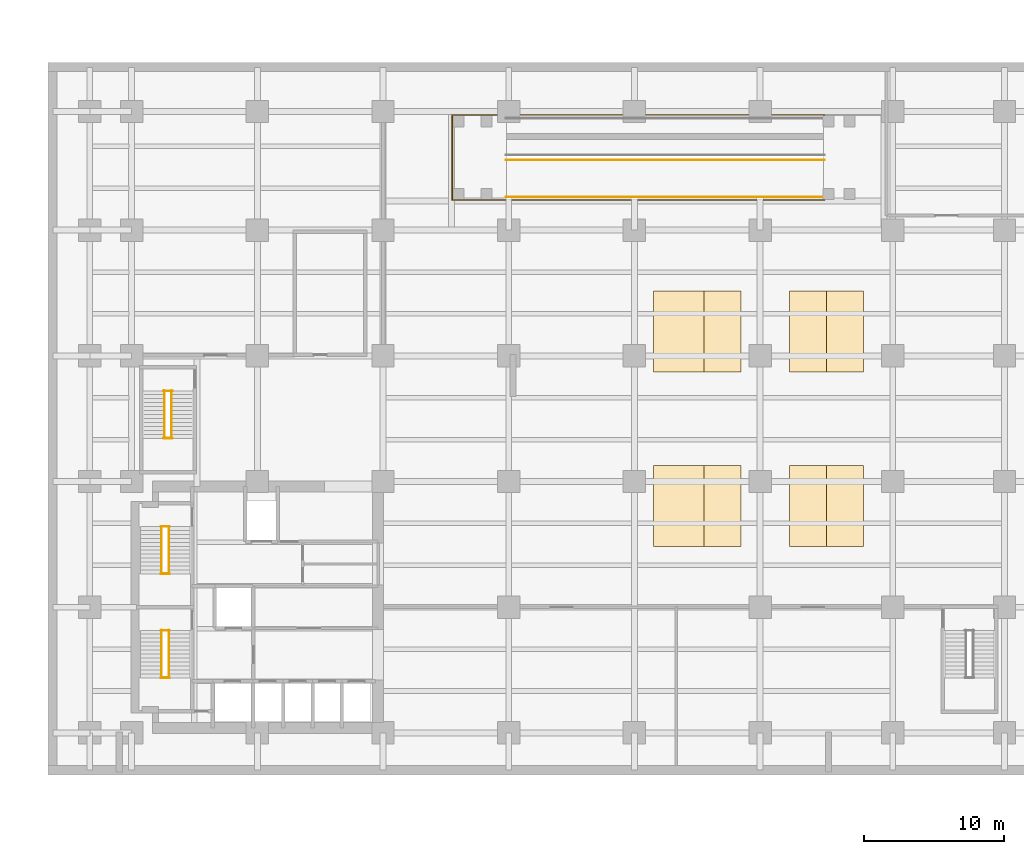
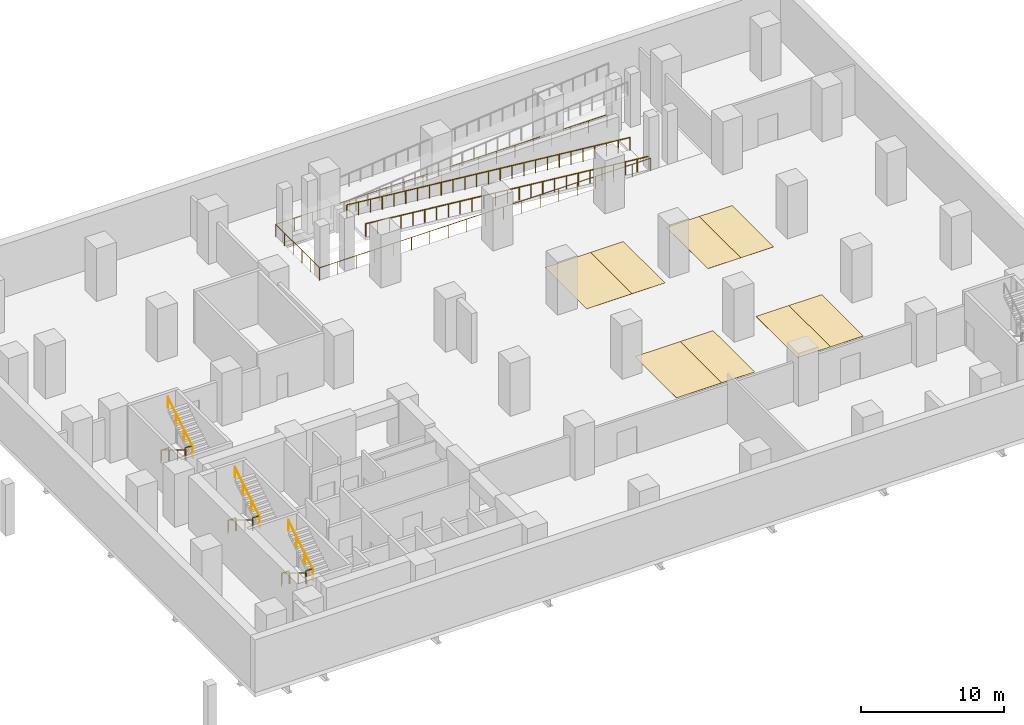
# One storey, part 9 of 10: 15 railings, 8 coverings.
"""IFC4 building model written with IfcOpenShell, lengths in metres."""

from ifc_helpers import new_model, si_unit, direction, frame, origin, origin_2d, place, context, subcontext, project, spatial, polyline, circle, outline, extrude, material, layer, layer_set, type_object, element, save


model = new_model("IFC4")

# Units and contexts
model_context = context("Model", 3, precision=1e-05, world=origin(), true_north=direction((0.0, 1.0)))
body_context = subcontext(model_context, "Body", "Model", "MODEL_VIEW")
ifc_project = project(units=[si_unit("LENGTHUNIT", "METRE"), si_unit("AREAUNIT", "SQUARE_METRE"), si_unit("VOLUMEUNIT", "CUBIC_METRE"), si_unit("PLANEANGLEUNIT", "RADIAN"), si_unit("MASSUNIT", "GRAM", prefix="KILO")], contexts=[model_context])

# Site, building, storey
site_placement = place(None, origin())
site = spatial("IfcSite", under=ifc_project, at=site_placement, CompositionType="ELEMENT")
building_placement = place(site_placement, origin())
building = spatial("IfcBuilding", under=site, at=building_placement, Name="Mawjdan Bourse Tower", CompositionType="ELEMENT")
storey_placement = place(building_placement, frame((0.0, 0.0, -4.5)))
storey = spatial("IfcBuildingStorey", under=building, at=storey_placement, Name="B01", CompositionType="ELEMENT", Elevation=-4.5)

# Coverings
ifc_material_1 = material(Name="Thermoplastic Road Marking Paint")
ifc_layer = layer(ifc_material_1, 0.010009765625)
ifc_layer_set = layer_set([ifc_layer], Name="Thermoplastic Road Marking Paint")
covering_type = type_object("IfcCoveringType", Name="COV-PRK-BAY", PredefinedType="FLOORING", material=ifc_layer_set)
covering_1_placement = place(storey_placement, origin())
element("IfcCovering", 1, at=covering_1_placement, inside=storey, type_object=covering_type, Name="B01 Accessible Parking Bay Marking A1", PredefinedType="FLOORING", context=body_context, shape_type="SweptSolid", body=[
    extrude(outline(polyline([(43.35009765625, 16.35009765625), (47.0, 16.35009765625), (47.0, 22.14990234375), (43.35009765625, 22.14990234375), (43.35009765625, 16.35009765625)])), origin(), (0.0, 0.0, 1.0), 0.010009765625),
])
covering_2_placement = place(storey_placement, origin())
element("IfcCovering", 2, at=covering_2_placement, inside=storey, type_object=covering_type, Name="B01 Parking Bay Marking 01", PredefinedType="FLOORING", context=body_context, shape_type="SweptSolid", body=[
    extrude(outline(polyline([(47.0, 16.35009765625), (49.64990234375, 16.35009765625), (49.64990234375, 22.14990234375), (47.0, 22.14990234375), (47.0, 16.35009765625)])), origin(), (0.0, 0.0, 1.0), 0.010009765625),
])
covering_3_placement = place(storey_placement, origin())
element("IfcCovering", 3, at=covering_3_placement, inside=storey, type_object=covering_type, Name="B01 Parking Bay Marking 02", PredefinedType="FLOORING", context=body_context, shape_type="SweptSolid", body=[
    extrude(outline(polyline([(53.10009765625, 16.35009765625), (55.75, 16.35009765625), (55.75, 22.14990234375), (53.10009765625, 22.14990234375), (53.10009765625, 16.35009765625)])), origin(), (0.0, 0.0, 1.0), 0.010009765625),
])
covering_4_placement = place(storey_placement, origin())
element("IfcCovering", 4, at=covering_4_placement, inside=storey, type_object=covering_type, Name="B01 Parking Bay Marking 03", PredefinedType="FLOORING", context=body_context, shape_type="SweptSolid", body=[
    extrude(outline(polyline([(55.75, 16.35009765625), (58.39990234375, 16.35009765625), (58.39990234375, 22.14990234375), (55.75, 22.14990234375), (55.75, 16.35009765625)])), origin(), (0.0, 0.0, 1.0), 0.010009765625),
])
covering_5_placement = place(storey_placement, origin())
element("IfcCovering", 5, at=covering_5_placement, inside=storey, type_object=covering_type, Name="B01 Accessible Parking Bay Marking A2", PredefinedType="FLOORING", context=body_context, shape_type="SweptSolid", body=[
    extrude(outline(polyline([(43.35009765625, 28.85009765625), (47.0, 28.85009765625), (47.0, 34.64990234375), (43.35009765625, 34.64990234375), (43.35009765625, 28.85009765625)])), origin(), (0.0, 0.0, 1.0), 0.010009765625),
])
covering_6_placement = place(storey_placement, origin())
element("IfcCovering", 6, at=covering_6_placement, inside=storey, type_object=covering_type, Name="B01 Parking Bay Marking 04", PredefinedType="FLOORING", context=body_context, shape_type="SweptSolid", body=[
    extrude(outline(polyline([(47.0, 28.85009765625), (49.64990234375, 28.85009765625), (49.64990234375, 34.64990234375), (47.0, 34.64990234375), (47.0, 28.85009765625)])), origin(), (0.0, 0.0, 1.0), 0.010009765625),
])
covering_7_placement = place(storey_placement, origin())
element("IfcCovering", 7, at=covering_7_placement, inside=storey, type_object=covering_type, Name="B01 Parking Bay Marking 05", PredefinedType="FLOORING", context=body_context, shape_type="SweptSolid", body=[
    extrude(outline(polyline([(53.10009765625, 28.85009765625), (55.75, 28.85009765625), (55.75, 34.64990234375), (53.10009765625, 34.64990234375), (53.10009765625, 28.85009765625)])), origin(), (0.0, 0.0, 1.0), 0.010009765625),
])
covering_8_placement = place(storey_placement, origin())
element("IfcCovering", 8, at=covering_8_placement, inside=storey, type_object=covering_type, Name="B01 Parking Bay Marking 06", PredefinedType="FLOORING", context=body_context, shape_type="SweptSolid", body=[
    extrude(outline(polyline([(55.75, 28.85009765625), (58.39990234375, 28.85009765625), (58.39990234375, 34.64990234375), (55.75, 34.64990234375), (55.75, 28.85009765625)])), origin(), (0.0, 0.0, 1.0), 0.010009765625),
])

# Railings
ifc_material_2 = material(Name="Structural Steel S355", Category="steel")
railing_type_1 = type_object("IfcRailingType", Name="RLG-GRD-1100", PredefinedType="GUARDRAIL", material=ifc_material_2)
for number, where, name in (
    (9, (8.090087890625, 6.949951171875, 2.25), "B01 ST1 Landing Guardrail GL-MID"),
    (10, (8.090087890625, 10.330078125, 0.0), "B01 ST1 Landing Guardrail GL-BOT"),
    (11, (8.090087890625, 14.389892578125, 2.25), "B01 ST2 Landing Guardrail GL-MID"),
    (12, (8.090087890625, 17.77001953125, 0.0), "B01 ST2 Landing Guardrail GL-BOT"),
    (13, (8.2900390625, 24.10009765625, 2.25), "B01 ST3 Landing Guardrail GL-MID"),
    (14, (8.2900390625, 27.47998046875, 0.0), "B01 ST3 Landing Guardrail GL-BOT"),
):
    element("IfcRailing", number, at=place(storey_placement, frame(where)), inside=storey, type_object=railing_type_1, Name=name, PredefinedType="GUARDRAIL", context=body_context, shape_type="SweptSolid", body=[
        extrude(circle(Radius=0.02490234375, at=origin_2d()), frame((0.0, 0.0, 1.0751953125), z_axis=(1.0, 0.0, 0.0), x_axis=(0.0, 1.0, 0.0)), (0.0, 0.0, 1.0), 0.619873046875),
        extrude(circle(Radius=0.02099609375, at=origin_2d()), origin(), (0.0, 0.0, 1.0), 1.050048828125),
        extrude(circle(Radius=0.02099609375, at=origin_2d()), frame((0.619873046875, 0.0, 0.0)), (0.0, 0.0, 1.0), 1.050048828125),
    ])
railing_1_placement = place(storey_placement, frame((55.60009765625, 41.14990234375, 0.0)))
element("IfcRailing", 15, at=railing_1_placement, inside=storey, type_object=railing_type_1, Name="B01 Ramp Void Perimeter Guardrail", PredefinedType="GUARDRAIL", context=body_context, shape_type="SweptSolid", body=[
    extrude(circle(Radius=0.02490234375, at=origin_2d()), frame((0.0, 0.0, 1.0751953125), z_axis=(-1.0, 0.0, 0.0), x_axis=(0.0, -1.0, 0.0)), (0.0, 0.0, 1.0), 26.650146484375),
    extrude(circle(Radius=0.02490234375, at=origin_2d()), frame((-26.650146484375, 0.0, 1.0751953125), z_axis=(0.0, 1.0, 0.0), x_axis=(-1.0, 0.0, 0.0)), (0.0, 0.0, 1.0), 6.10009765625),
    extrude(circle(Radius=0.02490234375, at=origin_2d()), frame((-26.650146484375, 6.10009765625, 1.0751953125), z_axis=(1.0, 0.0, 0.0), x_axis=(0.0, 1.0, 0.0)), (0.0, 0.0, 1.0), 26.650146484375),
    extrude(circle(Radius=0.02197265625, at=origin_2d()), origin(), (0.0, 0.0, 1.0), 1.050048828125),
    extrude(circle(Radius=0.02197265625, at=origin_2d()), frame((-1.48046875, 0.0, 0.0)), (0.0, 0.0, 1.0), 1.050048828125),
    extrude(circle(Radius=0.02197265625, at=origin_2d()), frame((-2.961181640625, 0.0, 0.0)), (0.0, 0.0, 1.0), 1.050048828125),
    extrude(circle(Radius=0.02197265625, at=origin_2d()), frame((-4.441650390625, 0.0, 0.0)), (0.0, 0.0, 1.0), 1.050048828125),
    extrude(circle(Radius=0.02197265625, at=origin_2d()), frame((-5.92236328125, 0.0, 0.0)), (0.0, 0.0, 1.0), 1.050048828125),
    extrude(circle(Radius=0.02197265625, at=origin_2d()), frame((-7.40283203125, 0.0, 0.0)), (0.0, 0.0, 1.0), 1.050048828125),
    extrude(circle(Radius=0.02197265625, at=origin_2d()), frame((-8.88330078125, 0.0, 0.0)), (0.0, 0.0, 1.0), 1.050048828125),
    extrude(circle(Radius=0.02197265625, at=origin_2d()), frame((-10.364013671875, 0.0, 0.0)), (0.0, 0.0, 1.0), 1.050048828125),
    extrude(circle(Radius=0.02197265625, at=origin_2d()), frame((-11.844482421875, 0.0, 0.0)), (0.0, 0.0, 1.0), 1.050048828125),
    extrude(circle(Radius=0.02197265625, at=origin_2d()), frame((-13.3251953125, 0.0, 0.0)), (0.0, 0.0, 1.0), 1.050048828125),
    extrude(circle(Radius=0.02197265625, at=origin_2d()), frame((-14.8056640625, 0.0, 0.0)), (0.0, 0.0, 1.0), 1.050048828125),
    extrude(circle(Radius=0.02197265625, at=origin_2d()), frame((-16.2861328125, 0.0, 0.0)), (0.0, 0.0, 1.0), 1.050048828125),
    extrude(circle(Radius=0.02197265625, at=origin_2d()), frame((-17.766845703125, 0.0, 0.0)), (0.0, 0.0, 1.0), 1.050048828125),
    extrude(circle(Radius=0.02197265625, at=origin_2d()), frame((-19.247314453125, 0.0, 0.0)), (0.0, 0.0, 1.0), 1.050048828125),
    extrude(circle(Radius=0.02197265625, at=origin_2d()), frame((-20.727783203125, 0.0, 0.0)), (0.0, 0.0, 1.0), 1.050048828125),
    extrude(circle(Radius=0.02197265625, at=origin_2d()), frame((-22.20849609375, 0.0, 0.0)), (0.0, 0.0, 1.0), 1.050048828125),
    extrude(circle(Radius=0.02197265625, at=origin_2d()), frame((-23.68896484375, 0.0, 0.0)), (0.0, 0.0, 1.0), 1.050048828125),
    extrude(circle(Radius=0.02197265625, at=origin_2d()), frame((-25.169677734375, 0.0, 0.0)), (0.0, 0.0, 1.0), 1.050048828125),
    extrude(circle(Radius=0.02197265625, at=origin_2d()), frame((-26.650146484375, 0.0, 0.0)), (0.0, 0.0, 1.0), 1.050048828125),
    extrude(circle(Radius=0.02197265625, at=origin_2d()), frame((-26.650146484375, 1.219970703125, 0.0)), (0.0, 0.0, 1.0), 1.050048828125),
    extrude(circle(Radius=0.02197265625, at=origin_2d()), frame((-26.650146484375, 2.43994140625, 0.0)), (0.0, 0.0, 1.0), 1.050048828125),
    extrude(circle(Radius=0.02197265625, at=origin_2d()), frame((-26.650146484375, 3.66015625, 0.0)), (0.0, 0.0, 1.0), 1.050048828125),
    extrude(circle(Radius=0.02197265625, at=origin_2d()), frame((-26.650146484375, 4.880126953125, 0.0)), (0.0, 0.0, 1.0), 1.050048828125),
    extrude(circle(Radius=0.02197265625, at=origin_2d()), frame((-26.650146484375, 6.10009765625, 0.0)), (0.0, 0.0, 1.0), 1.050048828125),
    extrude(circle(Radius=0.02197265625, at=origin_2d()), frame((-25.169677734375, 6.10009765625, 0.0)), (0.0, 0.0, 1.0), 1.050048828125),
    extrude(circle(Radius=0.02197265625, at=origin_2d()), frame((-23.68896484375, 6.10009765625, 0.0)), (0.0, 0.0, 1.0), 1.050048828125),
    extrude(circle(Radius=0.02197265625, at=origin_2d()), frame((-22.20849609375, 6.10009765625, 0.0)), (0.0, 0.0, 1.0), 1.050048828125),
    extrude(circle(Radius=0.02197265625, at=origin_2d()), frame((-20.727783203125, 6.10009765625, 0.0)), (0.0, 0.0, 1.0), 1.050048828125),
    extrude(circle(Radius=0.02197265625, at=origin_2d()), frame((-19.247314453125, 6.10009765625, 0.0)), (0.0, 0.0, 1.0), 1.050048828125),
    extrude(circle(Radius=0.02197265625, at=origin_2d()), frame((-17.766845703125, 6.10009765625, 0.0)), (0.0, 0.0, 1.0), 1.050048828125),
    extrude(circle(Radius=0.02197265625, at=origin_2d()), frame((-16.2861328125, 6.10009765625, 0.0)), (0.0, 0.0, 1.0), 1.050048828125),
    extrude(circle(Radius=0.02197265625, at=origin_2d()), frame((-14.8056640625, 6.10009765625, 0.0)), (0.0, 0.0, 1.0), 1.050048828125),
    extrude(circle(Radius=0.02197265625, at=origin_2d()), frame((-13.3251953125, 6.10009765625, 0.0)), (0.0, 0.0, 1.0), 1.050048828125),
    extrude(circle(Radius=0.02197265625, at=origin_2d()), frame((-11.844482421875, 6.10009765625, 0.0)), (0.0, 0.0, 1.0), 1.050048828125),
    extrude(circle(Radius=0.02197265625, at=origin_2d()), frame((-10.364013671875, 6.10009765625, 0.0)), (0.0, 0.0, 1.0), 1.050048828125),
    extrude(circle(Radius=0.02197265625, at=origin_2d()), frame((-8.88330078125, 6.10009765625, 0.0)), (0.0, 0.0, 1.0), 1.050048828125),
    extrude(circle(Radius=0.02197265625, at=origin_2d()), frame((-7.40283203125, 6.10009765625, 0.0)), (0.0, 0.0, 1.0), 1.050048828125),
    extrude(circle(Radius=0.02197265625, at=origin_2d()), frame((-5.92236328125, 6.10009765625, 0.0)), (0.0, 0.0, 1.0), 1.050048828125),
    extrude(circle(Radius=0.02197265625, at=origin_2d()), frame((-4.441650390625, 6.10009765625, 0.0)), (0.0, 0.0, 1.0), 1.050048828125),
    extrude(circle(Radius=0.02197265625, at=origin_2d()), frame((-2.961181640625, 6.10009765625, 0.0)), (0.0, 0.0, 1.0), 1.050048828125),
    extrude(circle(Radius=0.02197265625, at=origin_2d()), frame((-1.48046875, 6.10009765625, 0.0)), (0.0, 0.0, 1.0), 1.050048828125),
    extrude(circle(Radius=0.02197265625, at=origin_2d()), frame((0.0, 6.10009765625, 0.0)), (0.0, 0.0, 1.0), 1.050048828125),
])
railing_2_placement = place(storey_placement, frame((55.60009765625, 41.3798828125, 0.0048828125)))
element("IfcRailing", 16, at=railing_2_placement, inside=storey, type_object=railing_type_1, Name="B01 Vehicle Ramp Flight 1 South Guardrail", PredefinedType="GUARDRAIL", context=body_context, shape_type="SweptSolid", body=[
    extrude(circle(Radius=0.02490234375, at=origin_2d()), frame((0.0, 0.0, 1.09521484375), z_axis=(-0.995207888393, 0.0, 0.097781689908), x_axis=(0.0, -1.0, 0.0)), (0.0, 0.0, 1.0), 2.86376953125),
    extrude(circle(Radius=0.02490234375, at=origin_2d()), frame((-2.85009765625, 0.0, 1.375), z_axis=(-0.995207888393, 0.0, 0.097781689908), x_axis=(0.0, -1.0, 0.0)), (0.0, 0.0, 1.0), 2.86376953125),
    extrude(circle(Radius=0.02490234375, at=origin_2d()), frame((-5.7001953125, 0.0, 1.6552734375), z_axis=(-0.995207073192, 0.0, 0.097789986546), x_axis=(0.0, -1.0, 0.0)), (0.0, 0.0, 1.0), 2.863525390625),
    extrude(circle(Radius=0.02490234375, at=origin_2d()), frame((-8.550048828125, 0.0, 1.93505859375), z_axis=(-0.995207888393, 0.0, 0.097781689908), x_axis=(0.0, -1.0, 0.0)), (0.0, 0.0, 1.0), 2.86376953125),
    extrude(circle(Radius=0.02490234375, at=origin_2d()), frame((-11.400146484375, 0.0, 2.21533203125), z_axis=(-0.995207073192, 0.0, 0.097789986546), x_axis=(0.0, -1.0, 0.0)), (0.0, 0.0, 1.0), 2.863525390625),
    extrude(circle(Radius=0.02490234375, at=origin_2d()), frame((-14.25, 0.0, 2.4951171875), z_axis=(-0.995207888393, 0.0, 0.097781689908), x_axis=(0.0, -1.0, 0.0)), (0.0, 0.0, 1.0), 2.86376953125),
    extrude(circle(Radius=0.02490234375, at=origin_2d()), frame((-17.10009765625, 0.0, 2.775390625), z_axis=(-0.995207888393, 0.0, 0.097781689908), x_axis=(0.0, -1.0, 0.0)), (0.0, 0.0, 1.0), 2.86376953125),
    extrude(circle(Radius=0.02490234375, at=origin_2d()), frame((-19.9501953125, 0.0, 3.05517578125), z_axis=(-0.995207073192, 0.0, 0.097789986546), x_axis=(0.0, -1.0, 0.0)), (0.0, 0.0, 1.0), 2.863525390625),
    extrude(circle(Radius=0.02197265625, at=origin_2d()), origin(), (0.0, 0.0, 1.0), 1.070068359375),
    extrude(circle(Radius=0.02197265625, at=origin_2d()), frame((-0.949951171875, 0.0, 0.09326171875)), (0.0, 0.0, 1.0), 1.070068359375),
    extrude(circle(Radius=0.02197265625, at=origin_2d()), frame((-1.900146484375, 0.0, 0.186767578125)), (0.0, 0.0, 1.0), 1.070068359375),
    extrude(circle(Radius=0.02197265625, at=origin_2d()), frame((-2.85009765625, 0.0, 0.280029296875)), (0.0, 0.0, 1.0), 1.070068359375),
    extrude(circle(Radius=0.02197265625, at=origin_2d()), frame((-3.800048828125, 0.0, 0.373291015625)), (0.0, 0.0, 1.0), 1.070068359375),
    extrude(circle(Radius=0.02197265625, at=origin_2d()), frame((-4.750244140625, 0.0, 0.466796875)), (0.0, 0.0, 1.0), 1.070068359375),
    extrude(circle(Radius=0.02197265625, at=origin_2d()), frame((-5.7001953125, 0.0, 0.56005859375)), (0.0, 0.0, 1.0), 1.070068359375),
    extrude(circle(Radius=0.02197265625, at=origin_2d()), frame((-6.650146484375, 0.0, 0.6533203125)), (0.0, 0.0, 1.0), 1.070068359375),
    extrude(circle(Radius=0.02197265625, at=origin_2d()), frame((-7.60009765625, 0.0, 0.746826171875)), (0.0, 0.0, 1.0), 1.070068359375),
    extrude(circle(Radius=0.02197265625, at=origin_2d()), frame((-8.550048828125, 0.0, 0.840087890625)), (0.0, 0.0, 1.0), 1.070068359375),
    extrude(circle(Radius=0.02197265625, at=origin_2d()), frame((-9.5, 0.0, 0.933349609375)), (0.0, 0.0, 1.0), 1.070068359375),
    extrude(circle(Radius=0.02197265625, at=origin_2d()), frame((-10.4501953125, 0.0, 1.02685546875)), (0.0, 0.0, 1.0), 1.070068359375),
    extrude(circle(Radius=0.02197265625, at=origin_2d()), frame((-11.400146484375, 0.0, 1.1201171875)), (0.0, 0.0, 1.0), 1.070068359375),
    extrude(circle(Radius=0.02197265625, at=origin_2d()), frame((-12.35009765625, 0.0, 1.21337890625)), (0.0, 0.0, 1.0), 1.070068359375),
    extrude(circle(Radius=0.02197265625, at=origin_2d()), frame((-13.300048828125, 0.0, 1.306884765625)), (0.0, 0.0, 1.0), 1.070068359375),
    extrude(circle(Radius=0.02197265625, at=origin_2d()), frame((-14.25, 0.0, 1.400146484375)), (0.0, 0.0, 1.0), 1.070068359375),
    extrude(circle(Radius=0.02197265625, at=origin_2d()), frame((-15.199951171875, 0.0, 1.493408203125)), (0.0, 0.0, 1.0), 1.070068359375),
    extrude(circle(Radius=0.02197265625, at=origin_2d()), frame((-16.150146484375, 0.0, 1.5869140625)), (0.0, 0.0, 1.0), 1.070068359375),
    extrude(circle(Radius=0.02197265625, at=origin_2d()), frame((-17.10009765625, 0.0, 1.68017578125)), (0.0, 0.0, 1.0), 1.070068359375),
    extrude(circle(Radius=0.02197265625, at=origin_2d()), frame((-18.050048828125, 0.0, 1.7734375)), (0.0, 0.0, 1.0), 1.070068359375),
    extrude(circle(Radius=0.02197265625, at=origin_2d()), frame((-19.000244140625, 0.0, 1.866943359375)), (0.0, 0.0, 1.0), 1.070068359375),
    extrude(circle(Radius=0.02197265625, at=origin_2d()), frame((-19.9501953125, 0.0, 1.960205078125)), (0.0, 0.0, 1.0), 1.070068359375),
    extrude(circle(Radius=0.02197265625, at=origin_2d()), frame((-20.900146484375, 0.0, 2.053466796875)), (0.0, 0.0, 1.0), 1.070068359375),
    extrude(circle(Radius=0.02197265625, at=origin_2d()), frame((-21.85009765625, 0.0, 2.14697265625)), (0.0, 0.0, 1.0), 1.070068359375),
    extrude(circle(Radius=0.02197265625, at=origin_2d()), frame((-22.800048828125, 0.0, 2.240234375)), (0.0, 0.0, 1.0), 1.070068359375),
])
railing_3_placement = place(storey_placement, frame((55.60009765625, 44.02001953125, 0.0048828125)))
element("IfcRailing", 17, at=railing_3_placement, inside=storey, type_object=railing_type_1, Name="B01 Vehicle Ramp Flight 1 North Guardrail", PredefinedType="GUARDRAIL", context=body_context, shape_type="SweptSolid", body=[
    extrude(circle(Radius=0.02490234375, at=origin_2d()), frame((0.0, 0.0, 1.09521484375), z_axis=(-0.995207888393, 0.0, 0.097781689908), x_axis=(0.0, -1.0, 0.0)), (0.0, 0.0, 1.0), 2.86376953125),
    extrude(circle(Radius=0.02490234375, at=origin_2d()), frame((-2.85009765625, 0.0, 1.375), z_axis=(-0.995207888393, 0.0, 0.097781689908), x_axis=(0.0, -1.0, 0.0)), (0.0, 0.0, 1.0), 2.86376953125),
    extrude(circle(Radius=0.02490234375, at=origin_2d()), frame((-5.7001953125, 0.0, 1.6552734375), z_axis=(-0.995207073192, 0.0, 0.097789986546), x_axis=(0.0, -1.0, 0.0)), (0.0, 0.0, 1.0), 2.863525390625),
    extrude(circle(Radius=0.02490234375, at=origin_2d()), frame((-8.550048828125, 0.0, 1.93505859375), z_axis=(-0.995207888393, 0.0, 0.097781689908), x_axis=(0.0, -1.0, 0.0)), (0.0, 0.0, 1.0), 2.86376953125),
    extrude(circle(Radius=0.02490234375, at=origin_2d()), frame((-11.400146484375, 0.0, 2.21533203125), z_axis=(-0.995207073192, 0.0, 0.097789986546), x_axis=(0.0, -1.0, 0.0)), (0.0, 0.0, 1.0), 2.863525390625),
    extrude(circle(Radius=0.02490234375, at=origin_2d()), frame((-14.25, 0.0, 2.4951171875), z_axis=(-0.995207888393, 0.0, 0.097781689908), x_axis=(0.0, -1.0, 0.0)), (0.0, 0.0, 1.0), 2.86376953125),
    extrude(circle(Radius=0.02490234375, at=origin_2d()), frame((-17.10009765625, 0.0, 2.775390625), z_axis=(-0.995207888393, 0.0, 0.097781689908), x_axis=(0.0, -1.0, 0.0)), (0.0, 0.0, 1.0), 2.86376953125),
    extrude(circle(Radius=0.02490234375, at=origin_2d()), frame((-19.9501953125, 0.0, 3.05517578125), z_axis=(-0.995207073192, 0.0, 0.097789986546), x_axis=(0.0, -1.0, 0.0)), (0.0, 0.0, 1.0), 2.863525390625),
    extrude(circle(Radius=0.02197265625, at=origin_2d()), origin(), (0.0, 0.0, 1.0), 1.070068359375),
    extrude(circle(Radius=0.02197265625, at=origin_2d()), frame((-0.949951171875, 0.0, 0.09326171875)), (0.0, 0.0, 1.0), 1.070068359375),
    extrude(circle(Radius=0.02197265625, at=origin_2d()), frame((-1.900146484375, 0.0, 0.186767578125)), (0.0, 0.0, 1.0), 1.070068359375),
    extrude(circle(Radius=0.02197265625, at=origin_2d()), frame((-2.85009765625, 0.0, 0.280029296875)), (0.0, 0.0, 1.0), 1.070068359375),
    extrude(circle(Radius=0.02197265625, at=origin_2d()), frame((-3.800048828125, 0.0, 0.373291015625)), (0.0, 0.0, 1.0), 1.070068359375),
    extrude(circle(Radius=0.02197265625, at=origin_2d()), frame((-4.750244140625, 0.0, 0.466796875)), (0.0, 0.0, 1.0), 1.070068359375),
    extrude(circle(Radius=0.02197265625, at=origin_2d()), frame((-5.7001953125, 0.0, 0.56005859375)), (0.0, 0.0, 1.0), 1.070068359375),
    extrude(circle(Radius=0.02197265625, at=origin_2d()), frame((-6.650146484375, 0.0, 0.6533203125)), (0.0, 0.0, 1.0), 1.070068359375),
    extrude(circle(Radius=0.02197265625, at=origin_2d()), frame((-7.60009765625, 0.0, 0.746826171875)), (0.0, 0.0, 1.0), 1.070068359375),
    extrude(circle(Radius=0.02197265625, at=origin_2d()), frame((-8.550048828125, 0.0, 0.840087890625)), (0.0, 0.0, 1.0), 1.070068359375),
    extrude(circle(Radius=0.02197265625, at=origin_2d()), frame((-9.5, 0.0, 0.933349609375)), (0.0, 0.0, 1.0), 1.070068359375),
    extrude(circle(Radius=0.02197265625, at=origin_2d()), frame((-10.4501953125, 0.0, 1.02685546875)), (0.0, 0.0, 1.0), 1.070068359375),
    extrude(circle(Radius=0.02197265625, at=origin_2d()), frame((-11.400146484375, 0.0, 1.1201171875)), (0.0, 0.0, 1.0), 1.070068359375),
    extrude(circle(Radius=0.02197265625, at=origin_2d()), frame((-12.35009765625, 0.0, 1.21337890625)), (0.0, 0.0, 1.0), 1.070068359375),
    extrude(circle(Radius=0.02197265625, at=origin_2d()), frame((-13.300048828125, 0.0, 1.306884765625)), (0.0, 0.0, 1.0), 1.070068359375),
    extrude(circle(Radius=0.02197265625, at=origin_2d()), frame((-14.25, 0.0, 1.400146484375)), (0.0, 0.0, 1.0), 1.070068359375),
    extrude(circle(Radius=0.02197265625, at=origin_2d()), frame((-15.199951171875, 0.0, 1.493408203125)), (0.0, 0.0, 1.0), 1.070068359375),
    extrude(circle(Radius=0.02197265625, at=origin_2d()), frame((-16.150146484375, 0.0, 1.5869140625)), (0.0, 0.0, 1.0), 1.070068359375),
    extrude(circle(Radius=0.02197265625, at=origin_2d()), frame((-17.10009765625, 0.0, 1.68017578125)), (0.0, 0.0, 1.0), 1.070068359375),
    extrude(circle(Radius=0.02197265625, at=origin_2d()), frame((-18.050048828125, 0.0, 1.7734375)), (0.0, 0.0, 1.0), 1.070068359375),
    extrude(circle(Radius=0.02197265625, at=origin_2d()), frame((-19.000244140625, 0.0, 1.866943359375)), (0.0, 0.0, 1.0), 1.070068359375),
    extrude(circle(Radius=0.02197265625, at=origin_2d()), frame((-19.9501953125, 0.0, 1.960205078125)), (0.0, 0.0, 1.0), 1.070068359375),
    extrude(circle(Radius=0.02197265625, at=origin_2d()), frame((-20.900146484375, 0.0, 2.053466796875)), (0.0, 0.0, 1.0), 1.070068359375),
    extrude(circle(Radius=0.02197265625, at=origin_2d()), frame((-21.85009765625, 0.0, 2.14697265625)), (0.0, 0.0, 1.0), 1.070068359375),
    extrude(circle(Radius=0.02197265625, at=origin_2d()), frame((-22.800048828125, 0.0, 2.240234375)), (0.0, 0.0, 1.0), 1.070068359375),
])
ifc_material_3 = material(Name="Brushed Stainless Steel", Category="steel")
railing_type_2 = type_object("IfcRailingType", Name="RLG-HND-920", PredefinedType="HANDRAIL", material=ifc_material_3)
railing_4_placement = place(storey_placement, frame((8.139892578125, 10.35009765625, 0.173095703125)))
element("IfcRailing", 18, at=railing_4_placement, inside=storey, type_object=railing_type_2, Name="B01 ST1 Flight Handrail HR1", PredefinedType="HANDRAIL", context=body_context, shape_type="SweptSolid", body=[
    extrude(circle(Radius=0.0224609375, at=origin_2d()), frame((0.0, 0.0, 0.8974609375), z_axis=(0.0, -0.854745945586, 0.519046595696), x_axis=(1.0, 0.0, 0.0)), (0.0, 0.0, 1.0), 4.00146484375),
    extrude(circle(Radius=0.01904296875, at=origin_2d()), origin(), (0.0, 0.0, 1.0), 0.875),
    extrude(circle(Radius=0.01904296875, at=origin_2d()), frame((0.0, -1.14013671875, 0.6923828125)), (0.0, 0.0, 1.0), 0.875),
    extrude(circle(Radius=0.01904296875, at=origin_2d()), frame((0.0, -2.280029296875, 1.384521484375)), (0.0, 0.0, 1.0), 0.875),
    extrude(circle(Radius=0.01904296875, at=origin_2d()), frame((0.0, -3.420166015625, 2.076904296875)), (0.0, 0.0, 1.0), 0.875),
])
railing_5_placement = place(storey_placement, frame((8.659912109375, 6.929931640625, 2.423095703125)))
element("IfcRailing", 19, at=railing_5_placement, inside=storey, type_object=railing_type_2, Name="B01 ST1 Flight Handrail HR2", PredefinedType="HANDRAIL", context=body_context, shape_type="SweptSolid", body=[
    extrude(circle(Radius=0.0224609375, at=origin_2d()), frame((0.0, 0.0, 0.8974609375), z_axis=(0.0, 0.854745945586, 0.519046595696), x_axis=(-1.0, 0.0, 0.0)), (0.0, 0.0, 1.0), 4.00146484375),
    extrude(circle(Radius=0.01904296875, at=origin_2d()), origin(), (0.0, 0.0, 1.0), 0.875),
    extrude(circle(Radius=0.01904296875, at=origin_2d()), frame((0.0, 1.14013671875, 0.6923828125)), (0.0, 0.0, 1.0), 0.875),
    extrude(circle(Radius=0.01904296875, at=origin_2d()), frame((0.0, 2.280029296875, 1.384521484375)), (0.0, 0.0, 1.0), 0.875),
    extrude(circle(Radius=0.01904296875, at=origin_2d()), frame((0.0, 3.420166015625, 2.076904296875)), (0.0, 0.0, 1.0), 0.875),
])
railing_6_placement = place(storey_placement, frame((8.139892578125, 17.7900390625, 0.173095703125)))
element("IfcRailing", 20, at=railing_6_placement, inside=storey, type_object=railing_type_2, Name="B01 ST2 Flight Handrail HR1", PredefinedType="HANDRAIL", context=body_context, shape_type="SweptSolid", body=[
    extrude(circle(Radius=0.0224609375, at=origin_2d()), frame((0.0, 0.0, 0.8974609375), z_axis=(0.0, -0.854729506542, 0.519073665916), x_axis=(1.0, 0.0, 0.0)), (0.0, 0.0, 1.0), 4.001220703125),
    extrude(circle(Radius=0.01904296875, at=origin_2d()), origin(), (0.0, 0.0, 1.0), 0.875),
    extrude(circle(Radius=0.01904296875, at=origin_2d()), frame((0.0, -1.139892578125, 0.6923828125)), (0.0, 0.0, 1.0), 0.875),
    extrude(circle(Radius=0.01904296875, at=origin_2d()), frame((0.0, -2.280029296875, 1.384521484375)), (0.0, 0.0, 1.0), 0.875),
    extrude(circle(Radius=0.01904296875, at=origin_2d()), frame((0.0, -3.419921875, 2.076904296875)), (0.0, 0.0, 1.0), 0.875),
])
railing_7_placement = place(storey_placement, frame((8.659912109375, 14.3701171875, 2.423095703125)))
element("IfcRailing", 21, at=railing_7_placement, inside=storey, type_object=railing_type_2, Name="B01 ST2 Flight Handrail HR2", PredefinedType="HANDRAIL", context=body_context, shape_type="SweptSolid", body=[
    extrude(circle(Radius=0.0224609375, at=origin_2d()), frame((0.0, 0.0, 0.8974609375), z_axis=(0.0, 0.854729506542, 0.519073665916), x_axis=(-1.0, 0.0, 0.0)), (0.0, 0.0, 1.0), 4.001220703125),
    extrude(circle(Radius=0.01904296875, at=origin_2d()), origin(), (0.0, 0.0, 1.0), 0.875),
    extrude(circle(Radius=0.01904296875, at=origin_2d()), frame((0.0, 1.139892578125, 0.6923828125)), (0.0, 0.0, 1.0), 0.875),
    extrude(circle(Radius=0.01904296875, at=origin_2d()), frame((0.0, 2.280029296875, 1.384521484375)), (0.0, 0.0, 1.0), 0.875),
    extrude(circle(Radius=0.01904296875, at=origin_2d()), frame((0.0, 3.419921875, 2.076904296875)), (0.0, 0.0, 1.0), 0.875),
])
railing_8_placement = place(storey_placement, frame((8.340087890625, 27.5, 0.173095703125)))
element("IfcRailing", 22, at=railing_8_placement, inside=storey, type_object=railing_type_2, Name="B01 ST3 Flight Handrail HR1", PredefinedType="HANDRAIL", context=body_context, shape_type="SweptSolid", body=[
    extrude(circle(Radius=0.0224609375, at=origin_2d()), frame((0.0, 0.0, 0.8974609375), z_axis=(0.0, -0.854729506542, 0.519073665916), x_axis=(1.0, 0.0, 0.0)), (0.0, 0.0, 1.0), 4.001220703125),
    extrude(circle(Radius=0.01904296875, at=origin_2d()), origin(), (0.0, 0.0, 1.0), 0.875),
    extrude(circle(Radius=0.01904296875, at=origin_2d()), frame((0.0, -1.139892578125, 0.6923828125)), (0.0, 0.0, 1.0), 0.875),
    extrude(circle(Radius=0.01904296875, at=origin_2d()), frame((0.0, -2.280029296875, 1.384521484375)), (0.0, 0.0, 1.0), 0.875),
    extrude(circle(Radius=0.01904296875, at=origin_2d()), frame((0.0, -3.419921875, 2.076904296875)), (0.0, 0.0, 1.0), 0.875),
])
railing_9_placement = place(storey_placement, frame((8.860107421875, 24.080078125, 2.423095703125)))
element("IfcRailing", 23, at=railing_9_placement, inside=storey, type_object=railing_type_2, Name="B01 ST3 Flight Handrail HR2", PredefinedType="HANDRAIL", context=body_context, shape_type="SweptSolid", body=[
    extrude(circle(Radius=0.0224609375, at=origin_2d()), frame((0.0, 0.0, 0.8974609375), z_axis=(0.0, 0.854729506542, 0.519073665916), x_axis=(-1.0, 0.0, 0.0)), (0.0, 0.0, 1.0), 4.001220703125),
    extrude(circle(Radius=0.01904296875, at=origin_2d()), origin(), (0.0, 0.0, 1.0), 0.875),
    extrude(circle(Radius=0.01904296875, at=origin_2d()), frame((0.0, 1.139892578125, 0.6923828125)), (0.0, 0.0, 1.0), 0.875),
    extrude(circle(Radius=0.01904296875, at=origin_2d()), frame((0.0, 2.280029296875, 1.384521484375)), (0.0, 0.0, 1.0), 0.875),
    extrude(circle(Radius=0.01904296875, at=origin_2d()), frame((0.0, 3.419921875, 2.076904296875)), (0.0, 0.0, 1.0), 0.875),
])

save(model, "model.ifc")
